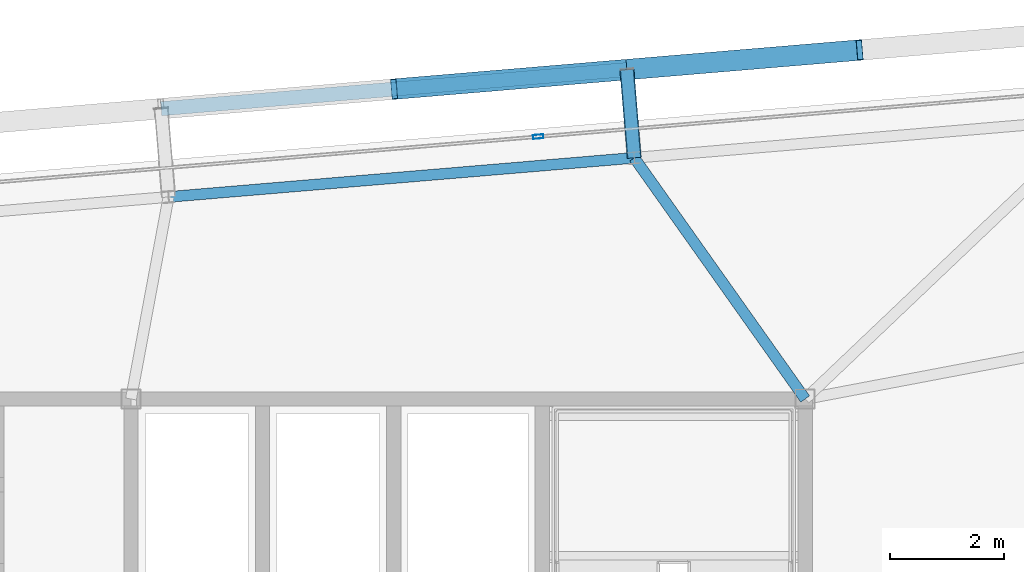
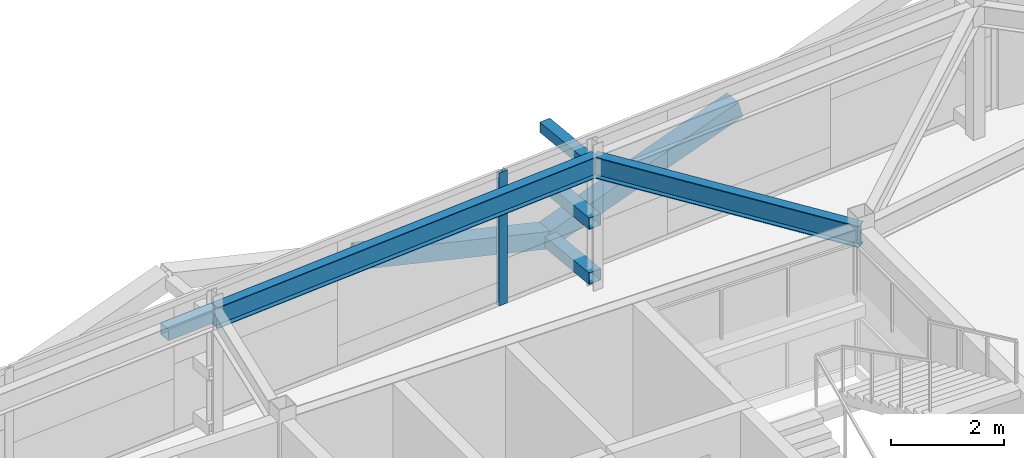
# One storey, part 24 of 39: 7 members, 2 beams, 1 element without a shape of its own.
"""IFC4 building model written with IfcOpenShell, lengths in metres."""

import ifcopenshell
import ifcopenshell.guid

model = None  # the IFC model being written
_history = None  # IfcOwnerHistory: only IFC2X3 demands one
_inside = {}  # id of a spatial element -> (the spatial element, [elements in it])
_under = {}  # id of a project, library or spatial element -> (it, [spatial elements below it])
_declared = {}  # id of a project -> (the project, [libraries it declares])
_typed = {}  # id of a type object -> (the type object, [elements of that type])
_made_of = {}  # id of a material, layer set ... -> (it, [elements and type objects made of it])


def new_model(schema):
    """Start an empty IFC model of exactly this schema.

    Asked for "IFC4X3", IfcOpenShell would pick the latest addendum, in which some entities
    have other attributes; the version numbers below select the first issue.
    IFC2X3 requires an IfcOwnerHistory on every rooted entity: one is made here for all.
    """
    global model, _history
    if schema == "IFC4X3":
        model = ifcopenshell.file(schema_version=(4, 3, 0, 0))
    else:
        model = ifcopenshell.file(schema=schema)
    _inside.clear()
    _under.clear()
    _declared.clear()
    _typed.clear()
    _made_of.clear()
    _history = None
    if model.schema == "IFC2X3":
        org = make("IfcOrganization", Name="unknown")
        user = make(
            "IfcPersonAndOrganization",
            ThePerson=make("IfcPerson", FamilyName="unknown"),
            TheOrganization=org,
        )
        app = make(
            "IfcApplication",
            ApplicationDeveloper=org,
            Version="unknown",
            ApplicationFullName="unknown",
            ApplicationIdentifier="unknown",
        )
        _history = make(
            "IfcOwnerHistory",
            OwningUser=user,
            OwningApplication=app,
            ChangeAction="ADDED",
            CreationDate=0,
        )
    return model


def make(cls, **values):
    """One entity of the class cls with the attributes given. An attribute that is None is left unset."""
    return model.create_entity(
        cls, **{name: value for name, value in values.items() if value is not None}
    )


def rooted(cls, **values):
    """An entity with a GlobalId (a new one), such as an element, a storey or a relation."""
    return make(cls, GlobalId=ifcopenshell.guid.new(), OwnerHistory=_history, **values)


def si_unit(unit_type, name, prefix=None):
    """IfcSIUnit, for example si_unit("LENGTHUNIT", "METRE", prefix="MILLI")."""
    return make("IfcSIUnit", UnitType=unit_type, Prefix=prefix, Name=name)


def assignment(units):
    """IfcUnitAssignment: the units of a project."""
    return None if units is None else make("IfcUnitAssignment", Units=units)


def point(xyz):
    """IfcCartesianPoint."""
    return None if xyz is None else make("IfcCartesianPoint", Coordinates=xyz)


def direction(xyz):
    """IfcDirection."""
    return None if xyz is None else make("IfcDirection", DirectionRatios=xyz)


def frame(location, z_axis=None, x_axis=None):
    """IfcAxis2Placement3D, a coordinate frame: its origin and axes. An axis left out is left unset."""
    return make(
        "IfcAxis2Placement3D",
        Location=point(location),
        Axis=direction(z_axis),
        RefDirection=direction(x_axis),
    )


def frame_2d(location, x_axis=None):
    """IfcAxis2Placement2D, a coordinate frame in the plane: its origin and x axis."""
    return make(
        "IfcAxis2Placement2D", Location=point(location), RefDirection=direction(x_axis)
    )


def origin():
    """The frame at (0, 0, 0) with its axes left unset."""
    return frame((0.0, 0.0, 0.0))


def origin_2d():
    """The frame at (0, 0) in the plane with its x axis left unset."""
    return frame_2d((0.0, 0.0))


def place(relative_to, where):
    """IfcLocalPlacement: puts the frame where relative to a parent placement (None: the world)."""
    return make(
        "IfcLocalPlacement", PlacementRelTo=relative_to, RelativePlacement=where
    )


def context(
    kind, dimensions, precision=None, world=None, true_north=None, identifier=None
):
    """IfcGeometricRepresentationContext, for example the 3D "Model" context."""
    return make(
        "IfcGeometricRepresentationContext",
        ContextIdentifier=identifier,
        ContextType=kind,
        CoordinateSpaceDimension=dimensions,
        Precision=precision,
        WorldCoordinateSystem=world,
        TrueNorth=true_north,
    )


def subcontext(parent, identifier, kind, view, scale=None):
    """IfcGeometricRepresentationSubContext, for example "Body" below "Model"."""
    return make(
        "IfcGeometricRepresentationSubContext",
        ContextIdentifier=identifier,
        ContextType=kind,
        ParentContext=parent,
        TargetScale=scale,
        TargetView=view,
    )


def project(units=None, contexts=None):
    """IfcProject with its units and contexts."""
    return rooted(
        "IfcProject",
        Name="project",
        RepresentationContexts=contexts,
        UnitsInContext=assignment(units),
    )


def spatial(cls, under=None, at=None, **own):
    """A site, building, storey or space (cls), placed at a placement, below another one or the project."""
    s = rooted(cls, ObjectPlacement=at, **own)
    if under is not None:
        _under.setdefault(under.id(), (under, []))[1].append(s)
    return s


def profile(cls, at=None, kind="AREA", **sizes):
    """A parametric profile (cls). Its sizes go by their IFC names, for example OverallWidth=200.0."""
    return make(cls, ProfileType=kind, Position=at, **sizes)


def hollow_rectangle(**sizes):
    """IfcRectangleHollowProfileDef."""
    return profile("IfcRectangleHollowProfileDef", **sizes)


def i_section(**sizes):
    """IfcIShapeProfileDef."""
    return profile("IfcIShapeProfileDef", **sizes)


def extrude(swept, where, along, depth):
    """IfcExtrudedAreaSolid: the profile swept, set in the frame where, extruded along a direction by depth."""
    return make(
        "IfcExtrudedAreaSolid",
        SweptArea=swept,
        Position=where,
        ExtrudedDirection=direction(along),
        Depth=depth,
    )


def shape(context_of_items, identifier, shape_type, items):
    """IfcShapeRepresentation: the items that make up one representation, for example the "Body"."""
    return make(
        "IfcShapeRepresentation",
        ContextOfItems=context_of_items,
        RepresentationIdentifier=identifier,
        RepresentationType=shape_type,
        Items=items,
    )


def source(mapping_origin, context_of_items, identifier, shape_type, items):
    """IfcRepresentationMap: a shape defined once, which mapped items show again and again."""
    return make(
        "IfcRepresentationMap",
        MappingOrigin=mapping_origin,
        MappedRepresentation=shape(context_of_items, identifier, shape_type, items),
    )


def transform(
    local_origin,
    x_axis=None,
    y_axis=None,
    z_axis=None,
    scale=None,
    scale2=None,
    scale3=None,
    uniform=True,
):
    """IfcCartesianTransformationOperator3D, or its non-uniform kind. x_axis, y_axis, z_axis: its Axis1, 2, 3."""
    if uniform:
        return make(
            "IfcCartesianTransformationOperator3D",
            Axis1=direction(x_axis),
            Axis2=direction(y_axis),
            LocalOrigin=point(local_origin),
            Scale=scale,
            Axis3=direction(z_axis),
        )
    return make(
        "IfcCartesianTransformationOperator3DnonUniform",
        Axis1=direction(x_axis),
        Axis2=direction(y_axis),
        LocalOrigin=point(local_origin),
        Scale=scale,
        Axis3=direction(z_axis),
        Scale2=scale2,
        Scale3=scale3,
    )


def mapped(mapping_source, mapping_target):
    """IfcMappedItem: shows the shape of a source again, moved by a transform."""
    return make(
        "IfcMappedItem", MappingSource=mapping_source, MappingTarget=mapping_target
    )


def material(Name=None, Category=None):
    """IfcMaterial."""
    return make("IfcMaterial", Name=Name, Category=Category)


def layer(
    of_material, thickness, ventilated=None, Name=None, Category=None, Priority=None
):
    """IfcMaterialLayer: one layer of a wall or slab, of a material (None: an air gap)."""
    return make(
        "IfcMaterialLayer",
        Material=of_material,
        LayerThickness=thickness,
        IsVentilated=ventilated,
        Name=Name,
        Category=Category,
        Priority=Priority,
    )


def layer_set(layers, Name=None):
    """IfcMaterialLayerSet."""
    return make("IfcMaterialLayerSet", MaterialLayers=layers, LayerSetName=Name)


def material_profile(
    of_material, cross_section, Name=None, Category=None, Priority=None
):
    """IfcMaterialProfile: a cross section and its material."""
    return make(
        "IfcMaterialProfile",
        Name=Name,
        Material=of_material,
        Profile=cross_section,
        Priority=Priority,
        Category=Category,
    )


def profile_set(profiles, Name=None, composite=None):
    """IfcMaterialProfileSet."""
    return make(
        "IfcMaterialProfileSet",
        Name=Name,
        MaterialProfiles=profiles,
        CompositeProfile=composite,
    )


def made_of(thing, what):
    """Note that an element or type object is made of a material, layer set ...; save() writes the relation."""
    if what is not None:
        _made_of.setdefault(what.id(), (what, []))[1].append(thing)
    return thing


def type_object(cls, material=None, **own):
    """A type object (cls), such as IfcWallType, which elements share."""
    return made_of(rooted(cls, **own), material)


def element(
    cls,
    number,
    at=None,
    inside=None,
    cuts=None,
    type_object=None,
    material=None,
    context=None,
    identifier="Body",
    shape_type=None,
    held_by="IfcProductDefinitionShape",
    body=None,
    shapes=None,
    **own,
):
    """One element of the class cls, such as IfcWall. Its Tag is "e" and its number.

    at: its placement. inside: the storey or other place that contains it. cuts: it is an
    opening in that element (IfcRelVoidsElement). A single representation is given by context,
    identifier, shape_type and body (its items); several are given by shapes. held_by: the class
    of the entity that holds the representations. save() writes the other relations.
    """
    e = rooted(cls, Tag="e%d" % number, ObjectPlacement=at, **own)
    if body is not None:
        shapes = [shape(context, identifier, shape_type, body)]
    if shapes is not None:
        e.Representation = make(held_by, Representations=shapes)
    if inside is not None:
        _inside.setdefault(inside.id(), (inside, []))[1].append(e)
    if cuts is not None:
        rooted(
            "IfcRelVoidsElement", RelatingBuildingElement=cuts, RelatedOpeningElement=e
        )
    if type_object is not None:
        _typed.setdefault(type_object.id(), (type_object, []))[1].append(e)
    return made_of(e, material)


def aggregate(whole, parts):
    """IfcRelAggregates: a whole, such as a stair, and the parts it consists of."""
    return rooted("IfcRelAggregates", RelatingObject=whole, RelatedObjects=parts)


def save(model, path):
    """Write the relations noted so far, then the file.

    IfcRelAggregates (storeys below a building ...), IfcRelContainedInSpatialStructure (elements
    in a storey), IfcRelDefinesByType, IfcRelAssociatesMaterial and IfcRelDeclares: one each for
    every whole, place, type object, material and project.
    """
    for whole, parts in _under.values():
        aggregate(whole, parts)
    for where, things in _inside.values():
        rooted(
            "IfcRelContainedInSpatialStructure",
            RelatedElements=things,
            RelatingStructure=where,
        )
    for kind, things in _typed.values():
        rooted("IfcRelDefinesByType", RelatedObjects=things, RelatingType=kind)
    for what, things in _made_of.values():
        rooted("IfcRelAssociatesMaterial", RelatedObjects=things, RelatingMaterial=what)
    for by, libraries in _declared.values():
        rooted("IfcRelDeclares", RelatingContext=by, RelatedDefinitions=libraries)
    model.write(path)


model = new_model("IFC4")

# Units and contexts
model_context = context("Model", 3, precision=1e-05, world=origin(), true_north=direction((0.0, 1.0)))
body_context = subcontext(model_context, "Body", "Model", "MODEL_VIEW")
ifc_project = project(units=[si_unit("LENGTHUNIT", "METRE"), si_unit("AREAUNIT", "SQUARE_METRE"), si_unit("VOLUMEUNIT", "CUBIC_METRE"), si_unit("PLANEANGLEUNIT", "RADIAN"), si_unit("MASSUNIT", "GRAM", prefix="KILO")], contexts=[model_context])

# Site, building, storey
site_placement = place(None, origin())
site = spatial("IfcSite", under=ifc_project, at=site_placement, CompositionType="ELEMENT")
building_placement = place(site_placement, origin())
building = spatial("IfcBuilding", under=site, at=building_placement, Name="Taldren Reach Tower", CompositionType="ELEMENT")
storey_placement = place(building_placement, frame((0.0, 0.0, 204.050048828125)))
storey = spatial("IfcBuildingStorey", under=building, at=storey_placement, Name="L62", CompositionType="ELEMENT", Elevation=204.050048828125)

# Members
ifc_material_1 = material(Name="Steel Gr 350 (C350L0)", Category="steel")
ifc_material_profile_1 = material_profile(ifc_material_1, hollow_rectangle(XDim=0.25, YDim=0.25, WallThickness=0.010009765625, at=origin_2d()), Name="250x250x10.0SHS")
ifc_profile_set_1 = profile_set([ifc_material_profile_1], Name="Steel Gr 350 (C350L0)")
member_type_1 = type_object("IfcMemberType", Name="MB-POST250", PredefinedType="POST", material=ifc_profile_set_1)
shared_shape_1 = source(origin(), body_context, "Body", "SweptSolid", [
    extrude(hollow_rectangle(XDim=0.25, YDim=0.25, WallThickness=0.010009765625, at=origin_2d()), origin(), (0.0, 0.0, 1.0), 1.550048828125),
])
for number, where, z_axis, x_axis, name in (
    (1, (48.009033203125, 36.221435546875, 0.219970703125), (-0.083632013783, 0.996496706603, 0.0), (-0.996496706603, -0.083632013783, 0.0), "Exoskeleton base diaphragm tie strut B4-N5 L62"),
    (2, (48.009033203125, 36.221435546875, 1.405029296875), (-0.083632013783, 0.996496706603, 0.0), (-0.996496706603, -0.083632013783, 0.0), "Exoskeleton mid-tier diaphragm tie B4-N5 L62"),
):
    element("IfcMember", number, at=place(storey_placement, frame(where, z_axis=z_axis, x_axis=x_axis)), inside=storey, type_object=member_type_1, Name=name, PredefinedType="POST", context=body_context, shape_type="MappedRepresentation", body=[
        mapped(shared_shape_1, transform((0.0, 0.0, 0.0), scale=1.0)),
    ])

# Beams
ifc_material_2 = material(Name="Steel Gr 350 (350PLUS)", Category="steel")
ifc_material_profile_2 = material_profile(ifc_material_2, i_section(OverallWidth=0.18994140625, OverallDepth=0.4541015625, WebThickness=0.008544921875, FlangeThickness=0.0126953125, at=origin_2d()), Name="460UB67.1")
ifc_profile_set_2 = profile_set([ifc_material_profile_2], Name="Steel Gr 350 (350PLUS)")
beam_type_1 = type_object("IfcBeamType", Name="SP-UB460B", PredefinedType="SPANDREL", material=ifc_profile_set_2)
shared_shape_2 = source(origin(), body_context, "Body", "SweptSolid", [
    extrude(i_section(OverallWidth=0.18994140625, OverallDepth=0.4541015625, WebThickness=0.008544921875, FlangeThickness=0.0126953125, at=origin_2d()), origin(), (0.0, 0.0, 1.0), 8.179931640625),
])
beam_1_placement = place(storey_placement, frame((48.009033203125, 36.221435546875, 2.64306640625), z_axis=(-0.996494523218, -0.083658025296, 0.0), x_axis=(0.083658025296, -0.996494523218, 0.0)))
element("IfcBeam", 3, at=beam_1_placement, inside=storey, type_object=beam_type_1, Name="Perimeter spandrel B4 N5-N4 L62", PredefinedType="SPANDREL", context=body_context, shape_type="MappedRepresentation", body=[
    mapped(shared_shape_2, transform((0.0, 0.0, 0.0), scale=1.0)),
])
ifc_material_profile_3 = material_profile(ifc_material_2, i_section(OverallWidth=0.19091796875, OverallDepth=0.4599609375, WebThickness=0.010009765625, FlangeThickness=0.01611328125, at=origin_2d()), Name="460UB82.1")
ifc_profile_set_3 = profile_set([ifc_material_profile_3], Name="Steel Gr 350 (350PLUS)")
beam_type_2 = type_object("IfcBeamType", Name="BM-UB460A", PredefinedType="BEAM", material=ifc_profile_set_3)
shared_shape_3 = source(origin(), body_context, "Body", "SweptSolid", [
    extrude(i_section(OverallWidth=0.19091796875, OverallDepth=0.4599609375, WebThickness=0.010009765625, FlangeThickness=0.01611328125, at=origin_2d()), origin(), (0.0, 0.0, 1.0), 5.173583984375),
])
beam_2_placement = place(storey_placement, frame((51.0, 32.0, 2.639892578125), z_axis=(-0.578118152709, 0.8159530633, 0.0), x_axis=(-0.8159530633, -0.578118152709, 0.0)))
element("IfcBeam", 4, at=beam_2_placement, inside=storey, type_object=beam_type_2, Name="Primary floor girder B4-N5 L62", PredefinedType="BEAM", context=body_context, shape_type="MappedRepresentation", body=[
    mapped(shared_shape_3, transform((0.0, 0.0, 0.0), scale=1.0)),
])

# Members
ifc_material_3 = material(Name="Steel Gr 450 (C450L0)", Category="steel")
ifc_material_profile_4 = material_profile(ifc_material_3, hollow_rectangle(XDim=0.219970703125, YDim=0.219970703125, WallThickness=0.00830078125, at=origin_2d()), Name="220x220x8.2SHS")
ifc_profile_set_4 = profile_set([ifc_material_profile_4], Name="Steel Gr 450 (C450L0)")
member_type_2 = type_object("IfcMemberType", Name="MB-TIE219", PredefinedType="STRUT", material=ifc_profile_set_4)
shared_shape_4 = source(origin(), body_context, "Body", "SweptSolid", [
    extrude(hollow_rectangle(XDim=0.219970703125, YDim=0.219970703125, WallThickness=0.00830078125, at=origin_2d()), origin(), (0.0, 0.0, 1.0), 1.550048828125),
])
member_1_placement = place(storey_placement, frame((48.009033203125, 36.221435546875, 2.58984375), z_axis=(-0.083632013783, 0.996496706603, 0.0), x_axis=(-0.996496706603, -0.083632013783, 0.0)))
element("IfcMember", 5, at=member_1_placement, inside=storey, type_object=member_type_2, Name="Exoskeleton diaphragm tie strut B4-N5 L62", PredefinedType="STRUT", context=body_context, shape_type="MappedRepresentation", body=[
    mapped(shared_shape_4, transform((0.0, 0.0, 0.0), scale=1.0)),
])
shared_shape_5 = source(origin(), body_context, "Body", "SweptSolid", [
    extrude(hollow_rectangle(XDim=0.25, YDim=0.25, WallThickness=0.010009765625, at=origin_2d()), origin(), (0.0, 0.0, 1.0), 8.18017578125),
])
member_2_placement = place(storey_placement, frame((39.72802734375, 37.08154296875, 1.405029296875), z_axis=(0.996492034688, 0.083687662192, 0.0), x_axis=(-0.083687662192, 0.996492034688, 0.0)))
element("IfcMember", 6, at=member_2_placement, inside=storey, type_object=member_type_1, Name="Exoskeleton mid-height ring chord B4-N4 L62", PredefinedType="POST", context=body_context, shape_type="MappedRepresentation", body=[
    mapped(shared_shape_5, transform((0.0, 0.0, 0.0), scale=1.0)),
])
ifc_material_profile_5 = material_profile(ifc_material_3, hollow_rectangle(XDim=0.360107421875, YDim=0.360107421875, WallThickness=0.0126953125, at=origin_2d()), Name="360x360x12.7SHS")
ifc_profile_set_5 = profile_set([ifc_material_profile_5], Name="Steel Gr 450 (C450L0)")
member_type_3 = type_object("IfcMemberType", Name="MB-EXO356", PredefinedType="BRACE", material=ifc_profile_set_5)
shared_shape_6 = source(origin(), body_context, "Body", "SweptSolid", [
    extrude(hollow_rectangle(XDim=0.360107421875, YDim=0.360107421875, WallThickness=0.0126953125, at=origin_2d()), origin(), (0.0, 0.0, 1.0), 4.25830078125),
])
for number, where, z_axis, x_axis, name in (
    (7, (47.87939453125, 37.76611328125, 0.219970703125), (-0.957125719227, -0.080381589694, 0.278296887572), (0.083687662192, -0.996492034688, 0.0), "Exoskeleton Diagrid Brace B4-N4 L62"),
    (8, (47.87939453125, 37.76611328125, 0.219970703125), (0.957125719227, 0.080381589694, 0.278296887572), (-0.083687662192, 0.996492034688, 0.0), "Exoskeleton Diagrid Brace B4-N5 L62"),
):
    element("IfcMember", number, at=place(storey_placement, frame(where, z_axis=z_axis, x_axis=x_axis)), inside=storey, type_object=member_type_3, Name=name, PredefinedType="BRACE", context=body_context, shape_type="MappedRepresentation", body=[
        mapped(shared_shape_6, transform((0.0, 0.0, 0.0), scale=1.0)),
    ])

# Curtain wall, member
ifc_material_4 = material(Name="Aluminium and Low-E Glass Unitised System", Category="aluminium")
ifc_layer = layer(ifc_material_4, 0.159912109375)
ifc_layer_set = layer_set([ifc_layer], Name="Aluminium and Low-E Glass Unitised System")
curtain_wall_type = type_object("IfcCurtainWallType", Name="CW-SYS-5", PredefinedType="NOTDEFINED", material=ifc_layer_set)
curtain_wall_placement = place(storey_placement, origin())
curtain_wall = element("IfcCurtainWall", 9, at=curtain_wall_placement, inside=storey, type_object=curtain_wall_type, Name="Unitised curtain wall CW-L62-N", PredefinedType="NOTDEFINED")
ifc_material_5 = material(Name="Anodised Aluminium 6063-T6", Category="aluminium")
ifc_material_profile_6 = material_profile(ifc_material_5, hollow_rectangle(XDim=0.070068359375, YDim=0.179931640625, WallThickness=0.00390625, at=origin_2d()), Name="ALU-180x70x4RHS")
ifc_profile_set_6 = profile_set([ifc_material_profile_6], Name="Anodised Aluminium 6063-T6")
member_type_4 = type_object("IfcMemberType", Name="CW-MUL-180", PredefinedType="MULLION", material=ifc_profile_set_6)
shared_shape_7 = source(origin(), body_context, "Body", "SweptSolid", [
    extrude(hollow_rectangle(XDim=0.070068359375, YDim=0.179931640625, WallThickness=0.00390625, at=origin_2d()), origin(), (0.0, 0.0, 1.0), 2.869873046875),
])
member_3_placement = place(storey_placement, frame((46.3271484375, 36.592041015625, 0.0), z_axis=(0.0, 0.0, 1.0), x_axis=(0.083677875247, -0.99649285657, 0.0)))
member_3 = element("IfcMember", 10, at=member_3_placement, type_object=member_type_4, Name="CW-5 mullion 2", PredefinedType="MULLION", context=body_context, shape_type="MappedRepresentation", body=[
    mapped(shared_shape_7, transform((0.0, 0.0, 0.0), scale=1.0)),
])
aggregate(curtain_wall, [member_3])

save(model, "model.ifc")
